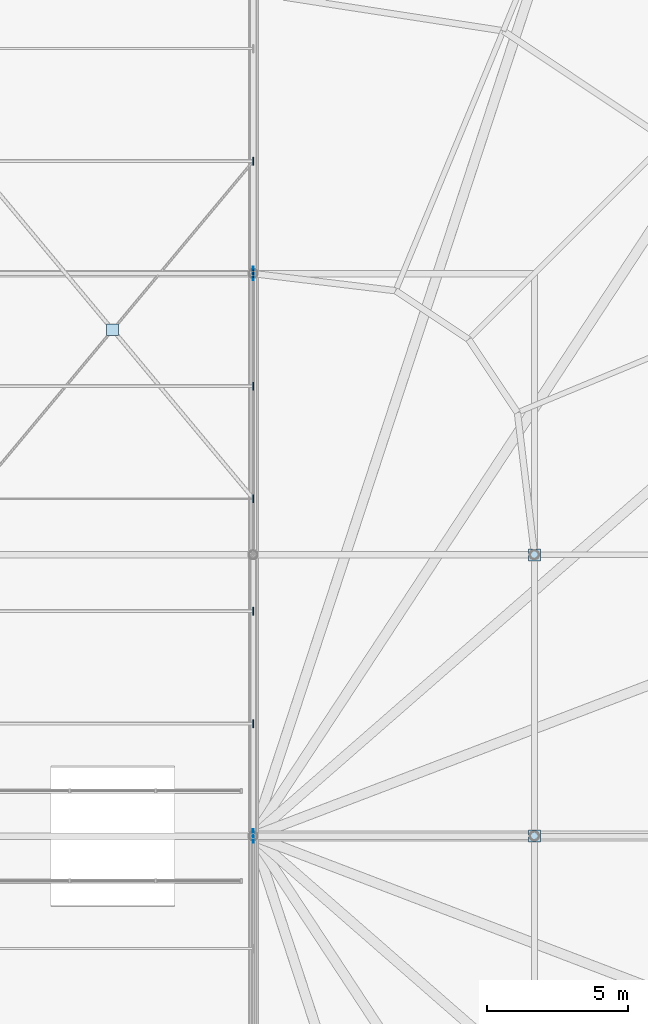
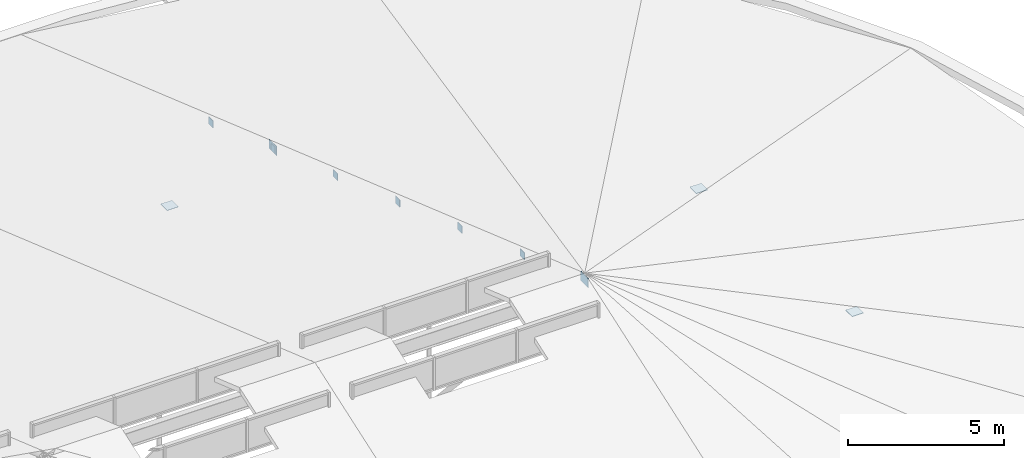
# One storey, part 92 of 93: 11 plates.
"""IFC4 building model written with IfcOpenShell, lengths in metres."""

from ifc_helpers import new_model, si_unit, derived_unit, direction, frame, origin, origin_2d_with_axis, place, context, subcontext, project, spatial, rectangle, extrude, material, layer, layer_set, type_object, element, save


model = new_model("IFC4")

# Units and contexts
model_context = context("Model", 3, precision=1e-05, world=origin(), true_north=direction((0.0, 1.0)))
body_context = subcontext(model_context, "Body", "Model", "MODEL_VIEW")
ifc_project = project(units=[si_unit("LENGTHUNIT", "METRE"), si_unit("AREAUNIT", "SQUARE_METRE"), si_unit("VOLUMEUNIT", "CUBIC_METRE"), si_unit("PLANEANGLEUNIT", "RADIAN"), si_unit("MASSUNIT", "GRAM", prefix="KILO"), derived_unit("THERMALTRANSMITTANCEUNIT", [(si_unit("POWERUNIT", "WATT"), 1), (si_unit("LENGTHUNIT", "METRE"), -2), (si_unit("THERMODYNAMICTEMPERATUREUNIT", "KELVIN"), -1)])], contexts=[model_context])

# Site, building, storey
site_placement = place(None, origin())
site = spatial("IfcSite", under=ifc_project, at=site_placement, CompositionType="ELEMENT")
building_placement = place(site_placement, origin())
building = spatial("IfcBuilding", under=site, at=building_placement, Name="Cinnabar Yard Market Hall", CompositionType="ELEMENT")
storey_placement = place(building_placement, frame((0.0, 0.0, 23.800048828125)))
storey = spatial("IfcBuildingStorey", under=building, at=storey_placement, Name="ROOF", CompositionType="ELEMENT", Elevation=23.800048828125)

# Plates
ifc_material = material(Name="Steel Grade 350 (350 MPa)", Category="steel")
ifc_layer_1 = layer(ifc_material, 0.01611328125)
ifc_layer_set_1 = layer_set([ifc_layer_1], Name="Steel Grade 350 (350 MPa)")
plate_type_1 = type_object("IfcPlateType", Name="PL-NP05", PredefinedType="SHEET", material=ifc_layer_set_1)
plate_1_placement = place(storey_placement, frame((141.0, 62.0, -3.0732421875), z_axis=(0.0, 0.0, 1.0), x_axis=(1.0, 0.0, 0.0)))
element("IfcPlate", 1, at=plate_1_placement, inside=storey, type_object=plate_type_1, Name="X-Brace Crossing Gusset 136-56", PredefinedType="SHEET", context=body_context, shape_type="SweptSolid", body=[
    extrude(rectangle(XDim=0.419921875, YDim=0.419921875, at=origin_2d_with_axis()), origin(), (0.0, 0.0, 1.0), 0.01611328125),
])
ifc_layer_2 = layer(ifc_material, 0.360107421875)
ifc_layer_set_2 = layer_set([ifc_layer_2], Name="Steel Grade 350 (350 MPa)")
plate_type_2 = type_object("IfcPlateType", Name="PL-NP12", PredefinedType="SHEET", material=ifc_layer_set_2)
plate_2_placement = place(storey_placement, frame((146.0, 64.0, -3.94140625), z_axis=(0.0, 0.0, 1.0), x_axis=(1.0, 0.0, 0.0)))
element("IfcPlate", 2, at=plate_2_placement, inside=storey, type_object=plate_type_2, Name="Truss Node Gusset 146-5", PredefinedType="SHEET", context=body_context, shape_type="SweptSolid", body=[
    extrude(rectangle(XDim=0.02001953125, YDim=0.47998046875, at=origin_2d_with_axis()), origin(), (0.0, 0.0, 1.0), 0.360107421875),
])
ifc_layer_3 = layer(ifc_material, 0.360107421875)
ifc_layer_set_3 = layer_set([ifc_layer_3], Name="Steel Grade 350 (350 MPa)")
plate_type_3 = type_object("IfcPlateType", Name="PL-NP14", PredefinedType="SHEET", material=ifc_layer_set_3)
plate_3_placement = place(storey_placement, frame((146.0, 44.0, 3.02001953125), z_axis=(0.0, 0.0, 1.0), x_axis=(1.0, 0.0, 0.0)))
element("IfcPlate", 3, at=plate_3_placement, inside=storey, type_object=plate_type_3, Name="Truss Node Gusset 146-3", PredefinedType="SHEET", context=body_context, shape_type="SweptSolid", body=[
    extrude(rectangle(XDim=0.02001953125, YDim=0.47998046875, at=origin_2d_with_axis()), origin(), (0.0, 0.0, 1.0), 0.360107421875),
])
ifc_layer_4 = layer(ifc_material, 0.02392578125)
ifc_layer_set_4 = layer_set([ifc_layer_4], Name="Steel Grade 350 (350 MPa)")
plate_type_4 = type_object("IfcPlateType", Name="PL-NP16", PredefinedType="SHEET", material=ifc_layer_set_4)
for number, where, z_axis, x_axis, name in (
    (4, (156.0, 44.0, -1.572021484375), (0.0, 0.0, 1.0), (1.0, 0.0, 0.0), "Hollow Member Cap Plate 09"),
    (5, (156.0, 54.0, -2.81201171875), (0.0, 0.0, 1.0), (1.0, 0.0, 0.0), "Hollow Member Cap Plate 10"),
):
    element("IfcPlate", number, at=place(storey_placement, frame(where, z_axis=z_axis, x_axis=x_axis)), inside=storey, type_object=plate_type_4, Name=name, PredefinedType="SHEET", context=body_context, shape_type="SweptSolid", body=[
        extrude(rectangle(XDim=0.419921875, YDim=0.419921875, at=origin_2d_with_axis()), origin(), (0.0, 0.0, 1.0), 0.02392578125),
    ])
ifc_layer_5 = layer(ifc_material, 0.280029296875)
ifc_layer_set_5 = layer_set([ifc_layer_5], Name="Steel Grade 350 (350 MPa)")
plate_type_5 = type_object("IfcPlateType", Name="PL-NP17", PredefinedType="SHEET", material=ifc_layer_set_5)
for number, where, z_axis, x_axis, name in (
    (6, (146.0, 48.0, 1.62744140625), (0.0, 0.0, 1.0), (1.0, 0.0, 0.0), "Purlin End Cap Y48 E"),
    (7, (146.0, 52.0, 0.2353515625), (0.0, 0.0, 1.0), (1.0, 0.0, 0.0), "Purlin End Cap Y52 E"),
    (8, (146.0, 56.0, -1.15673828125), (0.0, 0.0, 1.0), (1.0, 0.0, 0.0), "Purlin End Cap Y56 E"),
    (9, (146.0, 60.0, -2.54931640625), (0.0, 0.0, 1.0), (1.0, 0.0, 0.0), "Purlin End Cap Y60 E"),
    (10, (146.0, 64.0, -3.94140625), (0.0, 0.0, 1.0), (1.0, 0.0, 0.0), "Purlin End Cap Y64 E"),
    (11, (146.0, 68.0, -5.33349609375), (0.0, 0.0, 1.0), (1.0, 0.0, 0.0), "Purlin End Cap Y68 E"),
):
    element("IfcPlate", number, at=place(storey_placement, frame(where, z_axis=z_axis, x_axis=x_axis)), inside=storey, type_object=plate_type_5, Name=name, PredefinedType="SHEET", context=body_context, shape_type="SweptSolid", body=[
        extrude(rectangle(XDim=0.02001953125, YDim=0.280029296875, at=origin_2d_with_axis()), origin(), (0.0, 0.0, 1.0), 0.280029296875),
    ])

save(model, "model.ifc")
